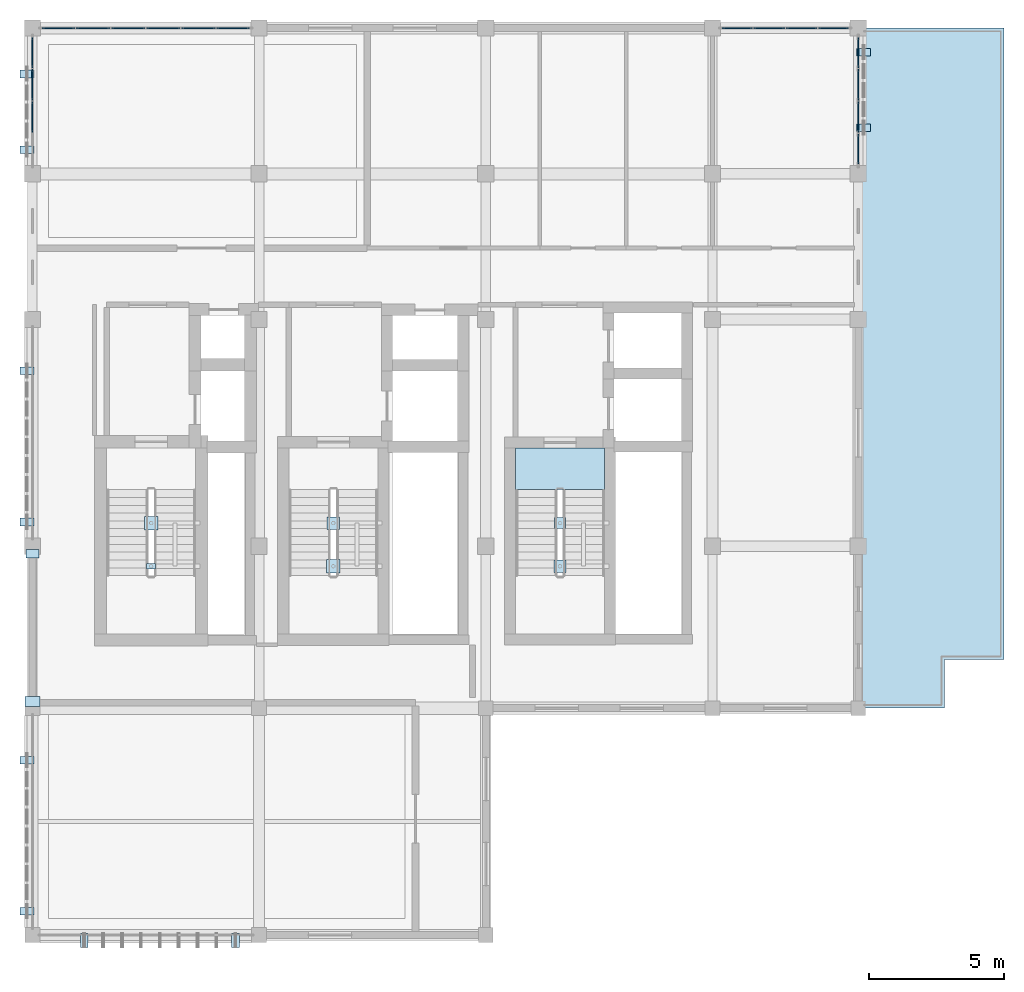
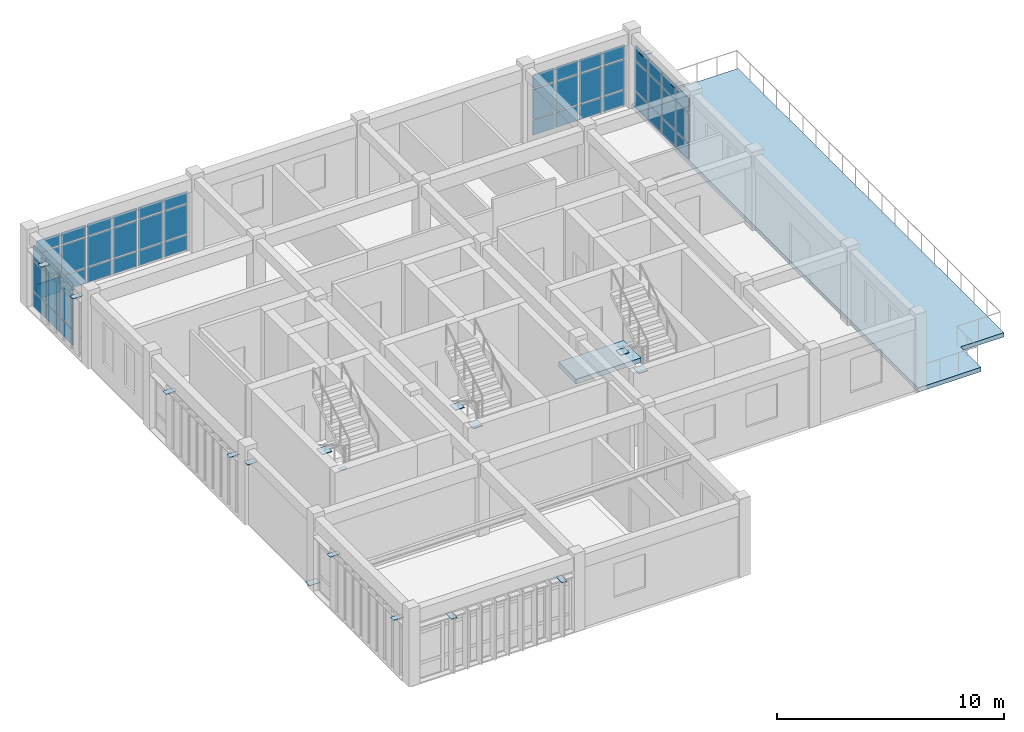
# One storey, part 16 of 21: 69 plates, 2 slabs, 4 elements without a shape of their own.
"""IFC4 building model written with IfcOpenShell, lengths in metres."""

from ifc_helpers import new_model, si_unit, direction, frame, origin, origin_2d, place, context, subcontext, project, spatial, polyline, rectangle, outline, extrude, material, layer, layer_set, type_object, element, aggregate, save


model = new_model("IFC4")

# Units and contexts
model_context = context("Model", 3, precision=1e-05, world=origin(), true_north=direction((0.0, 1.0)))
body_context = subcontext(model_context, "Body", "Model", "MODEL_VIEW")
ifc_project = project(units=[si_unit("LENGTHUNIT", "METRE"), si_unit("AREAUNIT", "SQUARE_METRE"), si_unit("VOLUMEUNIT", "CUBIC_METRE"), si_unit("PLANEANGLEUNIT", "RADIAN"), si_unit("MASSUNIT", "GRAM", prefix="KILO")], contexts=[model_context])

# Site, building, storey
site_placement = place(None, origin())
site = spatial("IfcSite", under=ifc_project, at=site_placement, CompositionType="ELEMENT")
building_placement = place(site_placement, origin())
building = spatial("IfcBuilding", under=site, at=building_placement, Name="Krzemoval Escarpment Law Courts", CompositionType="ELEMENT")
storey_placement = place(building_placement, frame((0.0, 0.0, 37.800048828125)))
storey = spatial("IfcBuildingStorey", under=building, at=storey_placement, Name="L08", CompositionType="ELEMENT", Elevation=37.800048828125)

# Curtain wall, plates
ifc_material_1 = material(Name="Aluminium 6063-T6", Category="aluminium")
ifc_layer_1 = layer(ifc_material_1, 0.219970703125)
ifc_layer_set_1 = layer_set([ifc_layer_1], Name="Aluminium 6063-T6")
curtain_wall_type = type_object("IfcCurtainWallType", Name="CW-CHMB-4200", PredefinedType="USERDEFINED", material=ifc_layer_set_1)
curtain_wall_1_placement = place(storey_placement, origin())
curtain_wall_1 = element("IfcCurtainWall", 1, at=curtain_wall_1_placement, inside=storey, type_object=curtain_wall_type, Name="Unitised Curtain Wall FCW-L08-164", ObjectType="UNITISED_CURTAIN_WALL", PredefinedType="USERDEFINED")
ifc_material_2 = material(Name="Triple Glazing IGU", Category="glass")
ifc_layer_2 = layer(ifc_material_2, 0.0419921875)
ifc_layer_set_2 = layer_set([ifc_layer_2], Name="Triple Glazing IGU")
plate_type_1 = type_object("IfcPlateType", Name="CWP-GLZ-42", PredefinedType="CURTAIN_PANEL", material=ifc_layer_set_2)
plate_1_placement = place(storey_placement, frame((126.0, 115.5, 0.06494140625), z_axis=(0.0, 0.0, 1.0), x_axis=(0.0, 1.0, 0.0)))
plate_1 = element("IfcPlate", 2, at=plate_1_placement, type_object=plate_type_1, Name="FCW-L08-164 panel 2.1", PredefinedType="CURTAIN_PANEL", context=body_context, shape_type="SweptSolid", body=[
    extrude(rectangle(XDim=1.135009765625, YDim=0.0419921875, at=origin_2d()), origin(), (0.0, 0.0, 1.0), 0.802490234375),
])
plate_2_placement = place(storey_placement, frame((126.0, 115.5, 0.932373046875), z_axis=(0.0, 0.0, 1.0), x_axis=(0.0, 1.0, 0.0)))
plate_2 = element("IfcPlate", 3, at=plate_2_placement, type_object=plate_type_1, Name="FCW-L08-164 panel 2.2", PredefinedType="CURTAIN_PANEL", context=body_context, shape_type="SweptSolid", body=[
    extrude(rectangle(XDim=1.135009765625, YDim=0.0419921875, at=origin_2d()), origin(), (0.0, 0.0, 1.0), 1.5849609375),
])
plate_3_placement = place(storey_placement, frame((126.0, 115.5, 2.58251953125), z_axis=(0.0, 0.0, 1.0), x_axis=(0.0, 1.0, 0.0)))
plate_3 = element("IfcPlate", 4, at=plate_3_placement, type_object=plate_type_1, Name="FCW-L08-164 panel 2.3", PredefinedType="CURTAIN_PANEL", context=body_context, shape_type="SweptSolid", body=[
    extrude(rectangle(XDim=1.135009765625, YDim=0.0419921875, at=origin_2d()), origin(), (0.0, 0.0, 1.0), 0.762451171875),
])
plate_4_placement = place(storey_placement, frame((126.0, 116.699951171875, 0.06494140625), z_axis=(0.0, 0.0, 1.0), x_axis=(0.0, 1.0, 0.0)))
plate_4 = element("IfcPlate", 5, at=plate_4_placement, type_object=plate_type_1, Name="FCW-L08-164 panel 3.1", PredefinedType="CURTAIN_PANEL", context=body_context, shape_type="SweptSolid", body=[
    extrude(rectangle(XDim=1.135009765625, YDim=0.0419921875, at=origin_2d()), origin(), (0.0, 0.0, 1.0), 0.802490234375),
])
plate_5_placement = place(storey_placement, frame((126.0, 116.699951171875, 0.932373046875), z_axis=(0.0, 0.0, 1.0), x_axis=(0.0, 1.0, 0.0)))
plate_5 = element("IfcPlate", 6, at=plate_5_placement, type_object=plate_type_1, Name="FCW-L08-164 panel 3.2", PredefinedType="CURTAIN_PANEL", context=body_context, shape_type="SweptSolid", body=[
    extrude(rectangle(XDim=1.135009765625, YDim=0.0419921875, at=origin_2d()), origin(), (0.0, 0.0, 1.0), 1.5849609375),
])
plate_6_placement = place(storey_placement, frame((126.0, 116.699951171875, 2.58251953125), z_axis=(0.0, 0.0, 1.0), x_axis=(0.0, 1.0, 0.0)))
plate_6 = element("IfcPlate", 7, at=plate_6_placement, type_object=plate_type_1, Name="FCW-L08-164 panel 3.3", PredefinedType="CURTAIN_PANEL", context=body_context, shape_type="SweptSolid", body=[
    extrude(rectangle(XDim=1.135009765625, YDim=0.0419921875, at=origin_2d()), origin(), (0.0, 0.0, 1.0), 0.762451171875),
])
plate_7_placement = place(storey_placement, frame((126.0, 117.8837890625, 0.06494140625), z_axis=(0.0, 0.0, 1.0), x_axis=(0.0, 1.0, 0.0)))
plate_7 = element("IfcPlate", 8, at=plate_7_placement, type_object=plate_type_1, Name="FCW-L08-164 panel 4.1", PredefinedType="CURTAIN_PANEL", context=body_context, shape_type="SweptSolid", body=[
    extrude(rectangle(XDim=1.1025390625, YDim=0.0419921875, at=origin_2d()), origin(), (0.0, 0.0, 1.0), 0.802490234375),
])
plate_8_placement = place(storey_placement, frame((126.0, 117.8837890625, 0.932373046875), z_axis=(0.0, 0.0, 1.0), x_axis=(0.0, 1.0, 0.0)))
plate_8 = element("IfcPlate", 9, at=plate_8_placement, type_object=plate_type_1, Name="FCW-L08-164 panel 4.2", PredefinedType="CURTAIN_PANEL", context=body_context, shape_type="SweptSolid", body=[
    extrude(rectangle(XDim=1.1025390625, YDim=0.0419921875, at=origin_2d()), origin(), (0.0, 0.0, 1.0), 1.5849609375),
])
plate_9_placement = place(storey_placement, frame((126.0, 117.8837890625, 2.58251953125), z_axis=(0.0, 0.0, 1.0), x_axis=(0.0, 1.0, 0.0)))
plate_9 = element("IfcPlate", 10, at=plate_9_placement, type_object=plate_type_1, Name="FCW-L08-164 panel 4.3", PredefinedType="CURTAIN_PANEL", context=body_context, shape_type="SweptSolid", body=[
    extrude(rectangle(XDim=1.1025390625, YDim=0.0419921875, at=origin_2d()), origin(), (0.0, 0.0, 1.0), 0.762451171875),
])
aggregate(curtain_wall_1, [plate_1, plate_2, plate_3, plate_4, plate_5, plate_6, plate_7, plate_8, plate_9])

curtain_wall_2_placement = place(storey_placement, origin())
curtain_wall_2 = element("IfcCurtainWall", 11, at=curtain_wall_2_placement, inside=storey, type_object=curtain_wall_type, Name="Unitised Curtain Wall FCW-L08-165", ObjectType="UNITISED_CURTAIN_WALL", PredefinedType="USERDEFINED")
plate_10_placement = place(storey_placement, frame((126.96630859375, 118.800048828125, 0.06494140625), z_axis=(0.0, 0.0, 1.0), x_axis=(1.0, 0.0, 0.0)))
plate_10 = element("IfcPlate", 12, at=plate_10_placement, type_object=plate_type_1, Name="FCW-L08-165 panel 1.1", PredefinedType="CURTAIN_PANEL", context=body_context, shape_type="SweptSolid", body=[
    extrude(rectangle(XDim=1.202392578125, YDim=0.0419921875, at=origin_2d()), origin(), (0.0, 0.0, 1.0), 0.802490234375),
])
plate_11_placement = place(storey_placement, frame((126.96630859375, 118.800048828125, 0.932373046875), z_axis=(0.0, 0.0, 1.0), x_axis=(1.0, 0.0, 0.0)))
plate_11 = element("IfcPlate", 13, at=plate_11_placement, type_object=plate_type_1, Name="FCW-L08-165 panel 1.2", PredefinedType="CURTAIN_PANEL", context=body_context, shape_type="SweptSolid", body=[
    extrude(rectangle(XDim=1.202392578125, YDim=0.0419921875, at=origin_2d()), origin(), (0.0, 0.0, 1.0), 1.5849609375),
])
plate_12_placement = place(storey_placement, frame((126.96630859375, 118.800048828125, 2.58251953125), z_axis=(0.0, 0.0, 1.0), x_axis=(1.0, 0.0, 0.0)))
plate_12 = element("IfcPlate", 14, at=plate_12_placement, type_object=plate_type_1, Name="FCW-L08-165 panel 1.3", PredefinedType="CURTAIN_PANEL", context=body_context, shape_type="SweptSolid", body=[
    extrude(rectangle(XDim=1.202392578125, YDim=0.0419921875, at=origin_2d()), origin(), (0.0, 0.0, 1.0), 0.612548828125),
])
plate_13_placement = place(storey_placement, frame((128.25, 118.800048828125, 0.06494140625), z_axis=(0.0, 0.0, 1.0), x_axis=(1.0, 0.0, 0.0)))
plate_13 = element("IfcPlate", 15, at=plate_13_placement, type_object=plate_type_1, Name="FCW-L08-165 panel 2.1", PredefinedType="CURTAIN_PANEL", context=body_context, shape_type="SweptSolid", body=[
    extrude(rectangle(XDim=1.235107421875, YDim=0.0419921875, at=origin_2d()), origin(), (0.0, 0.0, 1.0), 0.802490234375),
])
plate_14_placement = place(storey_placement, frame((128.25, 118.800048828125, 0.932373046875), z_axis=(0.0, 0.0, 1.0), x_axis=(1.0, 0.0, 0.0)))
plate_14 = element("IfcPlate", 16, at=plate_14_placement, type_object=plate_type_1, Name="FCW-L08-165 panel 2.2", PredefinedType="CURTAIN_PANEL", context=body_context, shape_type="SweptSolid", body=[
    extrude(rectangle(XDim=1.235107421875, YDim=0.0419921875, at=origin_2d()), origin(), (0.0, 0.0, 1.0), 1.5849609375),
])
plate_15_placement = place(storey_placement, frame((128.25, 118.800048828125, 2.58251953125), z_axis=(0.0, 0.0, 1.0), x_axis=(1.0, 0.0, 0.0)))
plate_15 = element("IfcPlate", 17, at=plate_15_placement, type_object=plate_type_1, Name="FCW-L08-165 panel 2.3", PredefinedType="CURTAIN_PANEL", context=body_context, shape_type="SweptSolid", body=[
    extrude(rectangle(XDim=1.235107421875, YDim=0.0419921875, at=origin_2d()), origin(), (0.0, 0.0, 1.0), 0.612548828125),
])
plate_16_placement = place(storey_placement, frame((129.550048828125, 118.800048828125, 0.06494140625), z_axis=(0.0, 0.0, 1.0), x_axis=(1.0, 0.0, 0.0)))
plate_16 = element("IfcPlate", 18, at=plate_16_placement, type_object=plate_type_1, Name="FCW-L08-165 panel 3.1", PredefinedType="CURTAIN_PANEL", context=body_context, shape_type="SweptSolid", body=[
    extrude(rectangle(XDim=1.235107421875, YDim=0.0419921875, at=origin_2d()), origin(), (0.0, 0.0, 1.0), 0.802490234375),
])
plate_17_placement = place(storey_placement, frame((129.550048828125, 118.800048828125, 0.932373046875), z_axis=(0.0, 0.0, 1.0), x_axis=(1.0, 0.0, 0.0)))
plate_17 = element("IfcPlate", 19, at=plate_17_placement, type_object=plate_type_1, Name="FCW-L08-165 panel 3.2", PredefinedType="CURTAIN_PANEL", context=body_context, shape_type="SweptSolid", body=[
    extrude(rectangle(XDim=1.235107421875, YDim=0.0419921875, at=origin_2d()), origin(), (0.0, 0.0, 1.0), 1.5849609375),
])
plate_18_placement = place(storey_placement, frame((129.550048828125, 118.800048828125, 2.58251953125), z_axis=(0.0, 0.0, 1.0), x_axis=(1.0, 0.0, 0.0)))
plate_18 = element("IfcPlate", 20, at=plate_18_placement, type_object=plate_type_1, Name="FCW-L08-165 panel 3.3", PredefinedType="CURTAIN_PANEL", context=body_context, shape_type="SweptSolid", body=[
    extrude(rectangle(XDim=1.235107421875, YDim=0.0419921875, at=origin_2d()), origin(), (0.0, 0.0, 1.0), 0.612548828125),
])
plate_19_placement = place(storey_placement, frame((130.85009765625, 118.800048828125, 0.06494140625), z_axis=(0.0, 0.0, 1.0), x_axis=(1.0, 0.0, 0.0)))
plate_19 = element("IfcPlate", 21, at=plate_19_placement, type_object=plate_type_1, Name="FCW-L08-165 panel 4.1", PredefinedType="CURTAIN_PANEL", context=body_context, shape_type="SweptSolid", body=[
    extrude(rectangle(XDim=1.235107421875, YDim=0.0419921875, at=origin_2d()), origin(), (0.0, 0.0, 1.0), 0.802490234375),
])
plate_20_placement = place(storey_placement, frame((130.85009765625, 118.800048828125, 0.932373046875), z_axis=(0.0, 0.0, 1.0), x_axis=(1.0, 0.0, 0.0)))
plate_20 = element("IfcPlate", 22, at=plate_20_placement, type_object=plate_type_1, Name="FCW-L08-165 panel 4.2", PredefinedType="CURTAIN_PANEL", context=body_context, shape_type="SweptSolid", body=[
    extrude(rectangle(XDim=1.235107421875, YDim=0.0419921875, at=origin_2d()), origin(), (0.0, 0.0, 1.0), 1.5849609375),
])
plate_21_placement = place(storey_placement, frame((130.85009765625, 118.800048828125, 2.58251953125), z_axis=(0.0, 0.0, 1.0), x_axis=(1.0, 0.0, 0.0)))
plate_21 = element("IfcPlate", 23, at=plate_21_placement, type_object=plate_type_1, Name="FCW-L08-165 panel 4.3", PredefinedType="CURTAIN_PANEL", context=body_context, shape_type="SweptSolid", body=[
    extrude(rectangle(XDim=1.235107421875, YDim=0.0419921875, at=origin_2d()), origin(), (0.0, 0.0, 1.0), 0.612548828125),
])
plate_22_placement = place(storey_placement, frame((132.14990234375, 118.800048828125, 0.06494140625), z_axis=(0.0, 0.0, 1.0), x_axis=(1.0, 0.0, 0.0)))
plate_22 = element("IfcPlate", 24, at=plate_22_placement, type_object=plate_type_1, Name="FCW-L08-165 panel 5.1", PredefinedType="CURTAIN_PANEL", context=body_context, shape_type="SweptSolid", body=[
    extrude(rectangle(XDim=1.235107421875, YDim=0.0419921875, at=origin_2d()), origin(), (0.0, 0.0, 1.0), 0.802490234375),
])
plate_23_placement = place(storey_placement, frame((132.14990234375, 118.800048828125, 0.932373046875), z_axis=(0.0, 0.0, 1.0), x_axis=(1.0, 0.0, 0.0)))
plate_23 = element("IfcPlate", 25, at=plate_23_placement, type_object=plate_type_1, Name="FCW-L08-165 panel 5.2", PredefinedType="CURTAIN_PANEL", context=body_context, shape_type="SweptSolid", body=[
    extrude(rectangle(XDim=1.235107421875, YDim=0.0419921875, at=origin_2d()), origin(), (0.0, 0.0, 1.0), 1.5849609375),
])
plate_24_placement = place(storey_placement, frame((132.14990234375, 118.800048828125, 2.58251953125), z_axis=(0.0, 0.0, 1.0), x_axis=(1.0, 0.0, 0.0)))
plate_24 = element("IfcPlate", 26, at=plate_24_placement, type_object=plate_type_1, Name="FCW-L08-165 panel 5.3", PredefinedType="CURTAIN_PANEL", context=body_context, shape_type="SweptSolid", body=[
    extrude(rectangle(XDim=1.235107421875, YDim=0.0419921875, at=origin_2d()), origin(), (0.0, 0.0, 1.0), 0.612548828125),
])
plate_25_placement = place(storey_placement, frame((133.433837890625, 118.800048828125, 0.06494140625), z_axis=(0.0, 0.0, 1.0), x_axis=(1.0, 0.0, 0.0)))
plate_25 = element("IfcPlate", 27, at=plate_25_placement, type_object=plate_type_1, Name="FCW-L08-165 panel 6.1", PredefinedType="CURTAIN_PANEL", context=body_context, shape_type="SweptSolid", body=[
    extrude(rectangle(XDim=1.202392578125, YDim=0.0419921875, at=origin_2d()), origin(), (0.0, 0.0, 1.0), 0.802490234375),
])
plate_26_placement = place(storey_placement, frame((133.433837890625, 118.800048828125, 0.932373046875), z_axis=(0.0, 0.0, 1.0), x_axis=(1.0, 0.0, 0.0)))
plate_26 = element("IfcPlate", 28, at=plate_26_placement, type_object=plate_type_1, Name="FCW-L08-165 panel 6.2", PredefinedType="CURTAIN_PANEL", context=body_context, shape_type="SweptSolid", body=[
    extrude(rectangle(XDim=1.202392578125, YDim=0.0419921875, at=origin_2d()), origin(), (0.0, 0.0, 1.0), 1.5849609375),
])
plate_27_placement = place(storey_placement, frame((133.433837890625, 118.800048828125, 2.58251953125), z_axis=(0.0, 0.0, 1.0), x_axis=(1.0, 0.0, 0.0)))
plate_27 = element("IfcPlate", 29, at=plate_27_placement, type_object=plate_type_1, Name="FCW-L08-165 panel 6.3", PredefinedType="CURTAIN_PANEL", context=body_context, shape_type="SweptSolid", body=[
    extrude(rectangle(XDim=1.202392578125, YDim=0.0419921875, at=origin_2d()), origin(), (0.0, 0.0, 1.0), 0.612548828125),
])
aggregate(curtain_wall_2, [plate_10, plate_11, plate_12, plate_13, plate_14, plate_15, plate_16, plate_17, plate_18, plate_19, plate_20, plate_21, plate_22, plate_23, plate_24, plate_25, plate_26, plate_27])

curtain_wall_3_placement = place(storey_placement, origin())
curtain_wall_3 = element("IfcCurtainWall", 30, at=curtain_wall_3_placement, inside=storey, type_object=curtain_wall_type, Name="Unitised Curtain Wall FCW-L08-166", ObjectType="UNITISED_CURTAIN_WALL", PredefinedType="USERDEFINED")
plate_28_placement = place(storey_placement, frame((152.1162109375, 118.800048828125, 0.06494140625), z_axis=(0.0, 0.0, 1.0), x_axis=(1.0, 0.0, 0.0)))
plate_28 = element("IfcPlate", 31, at=plate_28_placement, type_object=plate_type_1, Name="FCW-L08-166 panel 1.1", PredefinedType="CURTAIN_PANEL", context=body_context, shape_type="SweptSolid", body=[
    extrude(rectangle(XDim=1.1025390625, YDim=0.0419921875, at=origin_2d()), origin(), (0.0, 0.0, 1.0), 0.802490234375),
])
plate_29_placement = place(storey_placement, frame((152.1162109375, 118.800048828125, 0.932373046875), z_axis=(0.0, 0.0, 1.0), x_axis=(1.0, 0.0, 0.0)))
plate_29 = element("IfcPlate", 32, at=plate_29_placement, type_object=plate_type_1, Name="FCW-L08-166 panel 1.2", PredefinedType="CURTAIN_PANEL", context=body_context, shape_type="SweptSolid", body=[
    extrude(rectangle(XDim=1.1025390625, YDim=0.0419921875, at=origin_2d()), origin(), (0.0, 0.0, 1.0), 1.5849609375),
])
plate_30_placement = place(storey_placement, frame((152.1162109375, 118.800048828125, 2.58251953125), z_axis=(0.0, 0.0, 1.0), x_axis=(1.0, 0.0, 0.0)))
plate_30 = element("IfcPlate", 33, at=plate_30_placement, type_object=plate_type_1, Name="FCW-L08-166 panel 1.3", PredefinedType="CURTAIN_PANEL", context=body_context, shape_type="SweptSolid", body=[
    extrude(rectangle(XDim=1.1025390625, YDim=0.0419921875, at=origin_2d()), origin(), (0.0, 0.0, 1.0), 0.71240234375),
])
plate_31_placement = place(storey_placement, frame((153.300048828125, 118.800048828125, 0.06494140625), z_axis=(0.0, 0.0, 1.0), x_axis=(1.0, 0.0, 0.0)))
plate_31 = element("IfcPlate", 34, at=plate_31_placement, type_object=plate_type_1, Name="FCW-L08-166 panel 2.1", PredefinedType="CURTAIN_PANEL", context=body_context, shape_type="SweptSolid", body=[
    extrude(rectangle(XDim=1.135009765625, YDim=0.0419921875, at=origin_2d()), origin(), (0.0, 0.0, 1.0), 0.802490234375),
])
plate_32_placement = place(storey_placement, frame((153.300048828125, 118.800048828125, 0.932373046875), z_axis=(0.0, 0.0, 1.0), x_axis=(1.0, 0.0, 0.0)))
plate_32 = element("IfcPlate", 35, at=plate_32_placement, type_object=plate_type_1, Name="FCW-L08-166 panel 2.2", PredefinedType="CURTAIN_PANEL", context=body_context, shape_type="SweptSolid", body=[
    extrude(rectangle(XDim=1.135009765625, YDim=0.0419921875, at=origin_2d()), origin(), (0.0, 0.0, 1.0), 1.5849609375),
])
plate_33_placement = place(storey_placement, frame((153.300048828125, 118.800048828125, 2.58251953125), z_axis=(0.0, 0.0, 1.0), x_axis=(1.0, 0.0, 0.0)))
plate_33 = element("IfcPlate", 36, at=plate_33_placement, type_object=plate_type_1, Name="FCW-L08-166 panel 2.3", PredefinedType="CURTAIN_PANEL", context=body_context, shape_type="SweptSolid", body=[
    extrude(rectangle(XDim=1.135009765625, YDim=0.0419921875, at=origin_2d()), origin(), (0.0, 0.0, 1.0), 0.71240234375),
])
plate_34_placement = place(storey_placement, frame((154.5, 118.800048828125, 0.06494140625), z_axis=(0.0, 0.0, 1.0), x_axis=(1.0, 0.0, 0.0)))
plate_34 = element("IfcPlate", 37, at=plate_34_placement, type_object=plate_type_1, Name="FCW-L08-166 panel 3.1", PredefinedType="CURTAIN_PANEL", context=body_context, shape_type="SweptSolid", body=[
    extrude(rectangle(XDim=1.135009765625, YDim=0.0419921875, at=origin_2d()), origin(), (0.0, 0.0, 1.0), 0.802490234375),
])
plate_35_placement = place(storey_placement, frame((154.5, 118.800048828125, 0.932373046875), z_axis=(0.0, 0.0, 1.0), x_axis=(1.0, 0.0, 0.0)))
plate_35 = element("IfcPlate", 38, at=plate_35_placement, type_object=plate_type_1, Name="FCW-L08-166 panel 3.2", PredefinedType="CURTAIN_PANEL", context=body_context, shape_type="SweptSolid", body=[
    extrude(rectangle(XDim=1.135009765625, YDim=0.0419921875, at=origin_2d()), origin(), (0.0, 0.0, 1.0), 1.5849609375),
])
plate_36_placement = place(storey_placement, frame((154.5, 118.800048828125, 2.58251953125), z_axis=(0.0, 0.0, 1.0), x_axis=(1.0, 0.0, 0.0)))
plate_36 = element("IfcPlate", 39, at=plate_36_placement, type_object=plate_type_1, Name="FCW-L08-166 panel 3.3", PredefinedType="CURTAIN_PANEL", context=body_context, shape_type="SweptSolid", body=[
    extrude(rectangle(XDim=1.135009765625, YDim=0.0419921875, at=origin_2d()), origin(), (0.0, 0.0, 1.0), 0.71240234375),
])
plate_37_placement = place(storey_placement, frame((155.683837890625, 118.800048828125, 0.06494140625), z_axis=(0.0, 0.0, 1.0), x_axis=(1.0, 0.0, 0.0)))
plate_37 = element("IfcPlate", 40, at=plate_37_placement, type_object=plate_type_1, Name="FCW-L08-166 panel 4.1", PredefinedType="CURTAIN_PANEL", context=body_context, shape_type="SweptSolid", body=[
    extrude(rectangle(XDim=1.1025390625, YDim=0.0419921875, at=origin_2d()), origin(), (0.0, 0.0, 1.0), 0.802490234375),
])
plate_38_placement = place(storey_placement, frame((155.683837890625, 118.800048828125, 0.932373046875), z_axis=(0.0, 0.0, 1.0), x_axis=(1.0, 0.0, 0.0)))
plate_38 = element("IfcPlate", 41, at=plate_38_placement, type_object=plate_type_1, Name="FCW-L08-166 panel 4.2", PredefinedType="CURTAIN_PANEL", context=body_context, shape_type="SweptSolid", body=[
    extrude(rectangle(XDim=1.1025390625, YDim=0.0419921875, at=origin_2d()), origin(), (0.0, 0.0, 1.0), 1.5849609375),
])
plate_39_placement = place(storey_placement, frame((155.683837890625, 118.800048828125, 2.58251953125), z_axis=(0.0, 0.0, 1.0), x_axis=(1.0, 0.0, 0.0)))
plate_39 = element("IfcPlate", 42, at=plate_39_placement, type_object=plate_type_1, Name="FCW-L08-166 panel 4.3", PredefinedType="CURTAIN_PANEL", context=body_context, shape_type="SweptSolid", body=[
    extrude(rectangle(XDim=1.1025390625, YDim=0.0419921875, at=origin_2d()), origin(), (0.0, 0.0, 1.0), 0.71240234375),
])
aggregate(curtain_wall_3, [plate_28, plate_29, plate_30, plate_31, plate_32, plate_33, plate_34, plate_35, plate_36, plate_37, plate_38, plate_39])

curtain_wall_4_placement = place(storey_placement, origin())
curtain_wall_4 = element("IfcCurtainWall", 43, at=curtain_wall_4_placement, inside=storey, type_object=curtain_wall_type, Name="Unitised Curtain Wall FCW-L08-167", ObjectType="UNITISED_CURTAIN_WALL", PredefinedType="USERDEFINED")
plate_40_placement = place(storey_placement, frame((156.60009765625, 117.8837890625, 0.06494140625), z_axis=(0.0, 0.0, 1.0), x_axis=(0.0, -1.0, 0.0)))
plate_40 = element("IfcPlate", 44, at=plate_40_placement, type_object=plate_type_1, Name="FCW-L08-167 panel 1.1", PredefinedType="CURTAIN_PANEL", context=body_context, shape_type="SweptSolid", body=[
    extrude(rectangle(XDim=1.1025390625, YDim=0.0419921875, at=origin_2d()), origin(), (0.0, 0.0, 1.0), 0.802490234375),
])
plate_41_placement = place(storey_placement, frame((156.60009765625, 117.8837890625, 0.932373046875), z_axis=(0.0, 0.0, 1.0), x_axis=(0.0, -1.0, 0.0)))
plate_41 = element("IfcPlate", 45, at=plate_41_placement, type_object=plate_type_1, Name="FCW-L08-167 panel 1.2", PredefinedType="CURTAIN_PANEL", context=body_context, shape_type="SweptSolid", body=[
    extrude(rectangle(XDim=1.1025390625, YDim=0.0419921875, at=origin_2d()), origin(), (0.0, 0.0, 1.0), 1.5849609375),
])
plate_42_placement = place(storey_placement, frame((156.60009765625, 117.8837890625, 2.58251953125), z_axis=(0.0, 0.0, 1.0), x_axis=(0.0, -1.0, 0.0)))
plate_42 = element("IfcPlate", 46, at=plate_42_placement, type_object=plate_type_1, Name="FCW-L08-167 panel 1.3", PredefinedType="CURTAIN_PANEL", context=body_context, shape_type="SweptSolid", body=[
    extrude(rectangle(XDim=1.1025390625, YDim=0.0419921875, at=origin_2d()), origin(), (0.0, 0.0, 1.0), 0.762451171875),
])
plate_43_placement = place(storey_placement, frame((156.60009765625, 116.699951171875, 0.06494140625), z_axis=(0.0, 0.0, 1.0), x_axis=(0.0, -1.0, 0.0)))
plate_43 = element("IfcPlate", 47, at=plate_43_placement, type_object=plate_type_1, Name="FCW-L08-167 panel 2.1", PredefinedType="CURTAIN_PANEL", context=body_context, shape_type="SweptSolid", body=[
    extrude(rectangle(XDim=1.135009765625, YDim=0.0419921875, at=origin_2d()), origin(), (0.0, 0.0, 1.0), 0.802490234375),
])
plate_44_placement = place(storey_placement, frame((156.60009765625, 116.699951171875, 0.932373046875), z_axis=(0.0, 0.0, 1.0), x_axis=(0.0, -1.0, 0.0)))
plate_44 = element("IfcPlate", 48, at=plate_44_placement, type_object=plate_type_1, Name="FCW-L08-167 panel 2.2", PredefinedType="CURTAIN_PANEL", context=body_context, shape_type="SweptSolid", body=[
    extrude(rectangle(XDim=1.135009765625, YDim=0.0419921875, at=origin_2d()), origin(), (0.0, 0.0, 1.0), 1.5849609375),
])
plate_45_placement = place(storey_placement, frame((156.60009765625, 116.699951171875, 2.58251953125), z_axis=(0.0, 0.0, 1.0), x_axis=(0.0, -1.0, 0.0)))
plate_45 = element("IfcPlate", 49, at=plate_45_placement, type_object=plate_type_1, Name="FCW-L08-167 panel 2.3", PredefinedType="CURTAIN_PANEL", context=body_context, shape_type="SweptSolid", body=[
    extrude(rectangle(XDim=1.135009765625, YDim=0.0419921875, at=origin_2d()), origin(), (0.0, 0.0, 1.0), 0.762451171875),
])
plate_46_placement = place(storey_placement, frame((156.60009765625, 115.5, 0.06494140625), z_axis=(0.0, 0.0, 1.0), x_axis=(0.0, -1.0, 0.0)))
plate_46 = element("IfcPlate", 50, at=plate_46_placement, type_object=plate_type_1, Name="FCW-L08-167 panel 3.1", PredefinedType="CURTAIN_PANEL", context=body_context, shape_type="SweptSolid", body=[
    extrude(rectangle(XDim=1.135009765625, YDim=0.0419921875, at=origin_2d()), origin(), (0.0, 0.0, 1.0), 0.802490234375),
])
plate_47_placement = place(storey_placement, frame((156.60009765625, 115.5, 0.932373046875), z_axis=(0.0, 0.0, 1.0), x_axis=(0.0, -1.0, 0.0)))
plate_47 = element("IfcPlate", 51, at=plate_47_placement, type_object=plate_type_1, Name="FCW-L08-167 panel 3.2", PredefinedType="CURTAIN_PANEL", context=body_context, shape_type="SweptSolid", body=[
    extrude(rectangle(XDim=1.135009765625, YDim=0.0419921875, at=origin_2d()), origin(), (0.0, 0.0, 1.0), 1.5849609375),
])
plate_48_placement = place(storey_placement, frame((156.60009765625, 115.5, 2.58251953125), z_axis=(0.0, 0.0, 1.0), x_axis=(0.0, -1.0, 0.0)))
plate_48 = element("IfcPlate", 52, at=plate_48_placement, type_object=plate_type_1, Name="FCW-L08-167 panel 3.3", PredefinedType="CURTAIN_PANEL", context=body_context, shape_type="SweptSolid", body=[
    extrude(rectangle(XDim=1.135009765625, YDim=0.0419921875, at=origin_2d()), origin(), (0.0, 0.0, 1.0), 0.762451171875),
])
plate_49_placement = place(storey_placement, frame((156.60009765625, 114.316162109375, 0.06494140625), z_axis=(0.0, 0.0, 1.0), x_axis=(0.0, -1.0, 0.0)))
plate_49 = element("IfcPlate", 53, at=plate_49_placement, type_object=plate_type_1, Name="FCW-L08-167 panel 4.1", PredefinedType="CURTAIN_PANEL", context=body_context, shape_type="SweptSolid", body=[
    extrude(rectangle(XDim=1.1025390625, YDim=0.0419921875, at=origin_2d()), origin(), (0.0, 0.0, 1.0), 0.802490234375),
])
plate_50_placement = place(storey_placement, frame((156.60009765625, 114.316162109375, 0.932373046875), z_axis=(0.0, 0.0, 1.0), x_axis=(0.0, -1.0, 0.0)))
plate_50 = element("IfcPlate", 54, at=plate_50_placement, type_object=plate_type_1, Name="FCW-L08-167 panel 4.2", PredefinedType="CURTAIN_PANEL", context=body_context, shape_type="SweptSolid", body=[
    extrude(rectangle(XDim=1.1025390625, YDim=0.0419921875, at=origin_2d()), origin(), (0.0, 0.0, 1.0), 1.5849609375),
])
plate_51_placement = place(storey_placement, frame((156.60009765625, 114.316162109375, 2.58251953125), z_axis=(0.0, 0.0, 1.0), x_axis=(0.0, -1.0, 0.0)))
plate_51 = element("IfcPlate", 55, at=plate_51_placement, type_object=plate_type_1, Name="FCW-L08-167 panel 4.3", PredefinedType="CURTAIN_PANEL", context=body_context, shape_type="SweptSolid", body=[
    extrude(rectangle(XDim=1.1025390625, YDim=0.0419921875, at=origin_2d()), origin(), (0.0, 0.0, 1.0), 0.762451171875),
])
aggregate(curtain_wall_4, [plate_40, plate_41, plate_42, plate_43, plate_44, plate_45, plate_46, plate_47, plate_48, plate_49, plate_50, plate_51])

# Plates
ifc_material_3 = material(Name="Anodised Aluminium Alloy 6063-T6", Category="aluminium")
ifc_layer_3 = layer(ifc_material_3, 0.01611328125)
ifc_layer_set_3 = layer_set([ifc_layer_3], Name="Anodised Aluminium Alloy 6063-T6")
plate_type_2 = type_object("IfcPlateType", Name="PLT-FIN-16", PredefinedType="USERDEFINED", material=ifc_layer_set_3)
for number, where, z_axis, x_axis, name in (
    (56, (133.52490234375, 85.0, 3.031982421875), (0.0, 0.0, 1.0), (0.0, -1.0, 0.0), "Sunshade Fin Blade FN-L08-1058"),
    (57, (127.925048828125, 85.0, 3.031982421875), (0.0, 0.0, 1.0), (0.0, -1.0, 0.0), "Sunshade Fin Blade FN-L08-1066"),
    (58, (125.800048828125, 86.074951171875, 3.031982421875), (0.0, 0.0, 1.0), (-1.0, 0.0, 0.0), "Sunshade Fin Blade FN-L08-1069"),
    (59, (125.800048828125, 91.675048828125, 3.031982421875), (0.0, 0.0, 1.0), (-1.0, 0.0, 0.0), "Sunshade Fin Blade FN-L08-1077"),
    (60, (125.800048828125, 100.5, 3.031982421875), (0.0, 0.0, 1.0), (-1.0, 0.0, 0.0), "Sunshade Fin Blade FN-L08-1080"),
    (61, (125.800048828125, 106.10009765625, 3.031982421875), (0.0, 0.0, 1.0), (-1.0, 0.0, 0.0), "Sunshade Fin Blade FN-L08-1088"),
    (62, (125.800048828125, 114.300048828125, 3.181884765625), (0.0, 0.0, 1.0), (-1.0, 0.0, 0.0), "Sunshade Fin Blade FN-L08-1091"),
    (63, (125.800048828125, 117.10009765625, 3.181884765625), (0.0, 0.0, 1.0), (-1.0, 0.0, 0.0), "Sunshade Fin Blade FN-L08-1095"),
    (64, (156.800048828125, 117.89990234375, 3.181884765625), (0.0, 0.0, 1.0), (1.0, 0.0, 0.0), "Sunshade Fin Blade FN-L08-1098"),
    (65, (156.800048828125, 115.10009765625, 3.181884765625), (0.0, 0.0, 1.0), (1.0, 0.0, 0.0), "Sunshade Fin Blade FN-L08-1102"),
):
    element("IfcPlate", number, at=place(storey_placement, frame(where, z_axis=z_axis, x_axis=x_axis)), inside=storey, type_object=plate_type_2, Name=name, ObjectType="SUNSHADE_FIN", PredefinedType="USERDEFINED", context=body_context, shape_type="SweptSolid", body=[
        extrude(rectangle(XDim=0.52001953125, YDim=0.280029296875, at=origin_2d()), origin(), (0.0, 0.0, 1.0), 0.01611328125),
    ])
ifc_material_4 = material(Name="Steel S355", Category="steel")
ifc_layer_4 = layer(ifc_material_4, 0.02392578125)
ifc_layer_set_4 = layer_set([ifc_layer_4], Name="Steel S355")
plate_type_3 = type_object("IfcPlateType", Name="PLT-FLG-24", PredefinedType="USERDEFINED", material=ifc_layer_set_4)
plate_52_placement = place(storey_placement, frame((145.550048828125, 100.4599609375, 1.657958984375), z_axis=(0.0, 0.0, 1.0), x_axis=(1.0, 0.0, 0.0)))
element("IfcPlate", 66, at=plate_52_placement, inside=storey, type_object=plate_type_3, Name="Gusset and End-Cap Plate ECP-0359", ObjectType="FLANGE_PLATE", PredefinedType="USERDEFINED", context=body_context, shape_type="SweptSolid", body=[
    extrude(rectangle(XDim=0.419921875, YDim=0.419921875, at=origin_2d()), origin(), (0.0, 0.0, 1.0), 0.02392578125),
])
ifc_material_5 = material(Name="Steel S355", Category="steel")
ifc_layer_5 = layer(ifc_material_5, 0.034912109375)
ifc_layer_set_5 = layer_set([ifc_layer_5], Name="Steel S355")
plate_type_4 = type_object("IfcPlateType", Name="PLT-FLG-35", PredefinedType="USERDEFINED", material=ifc_layer_set_5)
for number, where, z_axis, x_axis, name in (
    (67, (137.14990234375, 100.4599609375, 1.65234375), (0.0, 0.0, 1.0), (1.0, 0.0, 0.0), "Gusset and End-Cap Plate ECP-0337"),
    (68, (145.550048828125, 98.860107421875, 1.65234375), (0.0, 0.0, 1.0), (1.0, 0.0, 0.0), "Gusset and End-Cap Plate ECP-0358"),
):
    element("IfcPlate", number, at=place(storey_placement, frame(where, z_axis=z_axis, x_axis=x_axis)), inside=storey, type_object=plate_type_4, Name=name, ObjectType="FLANGE_PLATE", PredefinedType="USERDEFINED", context=body_context, shape_type="SweptSolid", body=[
        extrude(rectangle(XDim=0.4599609375, YDim=0.4599609375, at=origin_2d()), origin(), (0.0, 0.0, 1.0), 0.034912109375),
    ])
ifc_material_6 = material(Name="Steel S355", Category="steel")
ifc_layer_6 = layer(ifc_material_6, 0.0400390625)
ifc_layer_set_6 = layer_set([ifc_layer_6], Name="Steel S355")
plate_type_5 = type_object("IfcPlateType", Name="PLT-FLG-40", PredefinedType="USERDEFINED", material=ifc_layer_set_6)
for number, where, z_axis, x_axis, name in (
    (69, (130.39990234375, 100.4599609375, 1.64990234375), (0.0, 0.0, 1.0), (1.0, 0.0, 0.0), "Gusset and End-Cap Plate ECP-0315"),
    (70, (137.14990234375, 98.860107421875, 1.64990234375), (0.0, 0.0, 1.0), (1.0, 0.0, 0.0), "Gusset and End-Cap Plate ECP-0336"),
):
    element("IfcPlate", number, at=place(storey_placement, frame(where, z_axis=z_axis, x_axis=x_axis)), inside=storey, type_object=plate_type_5, Name=name, ObjectType="FLANGE_PLATE", PredefinedType="USERDEFINED", context=body_context, shape_type="SweptSolid", body=[
        extrude(rectangle(XDim=0.5, YDim=0.5, at=origin_2d()), origin(), (0.0, 0.0, 1.0), 0.0400390625),
    ])
ifc_material_7 = material(Name="Steel S355", Category="steel")
ifc_layer_7 = layer(ifc_material_7, 0.011962890625)
ifc_layer_set_7 = layer_set([ifc_layer_7], Name="Steel S355")
plate_type_6 = type_object("IfcPlateType", Name="PLT-GUS-12", PredefinedType="USERDEFINED", material=ifc_layer_set_7)
plate_53_placement = place(storey_placement, frame((130.39990234375, 98.860107421875, 1.6640625), z_axis=(0.0, 0.0, 1.0), x_axis=(1.0, 0.0, 0.0)))
element("IfcPlate", 71, at=plate_53_placement, inside=storey, type_object=plate_type_6, Name="Gusset and End-Cap Plate ECP-0314", ObjectType="GUSSET_PLATE", PredefinedType="USERDEFINED", context=body_context, shape_type="SweptSolid", body=[
    extrude(rectangle(XDim=0.340087890625, YDim=0.219970703125, at=origin_2d()), origin(), (0.0, 0.0, 1.0), 0.011962890625),
])
ifc_material_8 = material(Name="Steel S355", Category="steel")
ifc_layer_8 = layer(ifc_material_8, 0.02001953125)
ifc_layer_set_8 = layer_set([ifc_layer_8], Name="Steel S355")
plate_type_7 = type_object("IfcPlateType", Name="PLT-GUS-20", PredefinedType="USERDEFINED", material=ifc_layer_set_8)
plate_54_placement = place(storey_placement, frame((126.0, 99.324951171875, 3.27001953125), z_axis=(0.0, 0.0, 1.0), x_axis=(1.0, 0.0, 0.0)))
element("IfcPlate", 72, at=plate_54_placement, inside=storey, type_object=plate_type_7, Name="Gusset and End-Cap Plate ECP-0279", ObjectType="GUSSET_PLATE", PredefinedType="USERDEFINED", context=body_context, shape_type="SweptSolid", body=[
    extrude(rectangle(XDim=0.47998046875, YDim=0.320068359375, at=origin_2d()), origin(), (0.0, 0.0, 1.0), 0.02001953125),
])
ifc_material_9 = material(Name="Steel S355", Category="steel")
ifc_layer_9 = layer(ifc_material_9, 0.030029296875)
ifc_layer_set_9 = layer_set([ifc_layer_9], Name="Steel S355")
plate_type_8 = type_object("IfcPlateType", Name="PLT-GUS-30", PredefinedType="USERDEFINED", material=ifc_layer_set_9)
plate_55_placement = place(storey_placement, frame((126.0, 93.85009765625, 0.125), z_axis=(0.0, 0.0, 1.0), x_axis=(1.0, 0.0, 0.0)))
element("IfcPlate", 73, at=plate_55_placement, inside=storey, type_object=plate_type_8, Name="Gusset and End-Cap Plate ECP-0278", ObjectType="GUSSET_PLATE", PredefinedType="USERDEFINED", context=body_context, shape_type="SweptSolid", body=[
    extrude(rectangle(XDim=0.56005859375, YDim=0.360107421875, at=origin_2d()), origin(), (0.0, 0.0, 1.0), 0.030029296875),
])

# Slabs
ifc_material_10 = material(Name="Concrete C40/50", Category="concrete")
ifc_layer_10 = layer(ifc_material_10, 0.25)
ifc_layer_set_10 = layer_set([ifc_layer_10], Name="Concrete C40/50")
slab_type_1 = type_object("IfcSlabType", Name="SL-FLR-250", PredefinedType="FLOOR", material=ifc_layer_set_10)
slab_1_placement = place(storey_placement, frame((0.0, 0.0, -0.25)))
element("IfcSlab", 74, at=slab_1_placement, inside=storey, type_object=slab_type_1, Name="Core Floor Landing Slab SL-ST3-L08-FL", PredefinedType="FLOOR", context=body_context, shape_type="SweptSolid", body=[
    extrude(outline(polyline([(143.89990234375, 103.25), (143.89990234375, 101.699951171875), (147.199951171875, 101.699951171875), (147.199951171875, 103.25), (143.89990234375, 103.25)])), origin(), (0.0, 0.0, 1.0), 0.25),
])
ifc_material_11 = material(Name="Concrete C40/50", Category="concrete")
ifc_layer_11 = layer(ifc_material_11, 0.22998046875)
ifc_layer_set_11 = layer_set([ifc_layer_11], Name="Concrete C40/50")
slab_type_2 = type_object("IfcSlabType", Name="SL-TER-320", PredefinedType="ROOF", material=ifc_layer_set_11)
slab_2_placement = place(storey_placement, frame((0.0, 0.0, -0.22998046875)))
element("IfcSlab", 75, at=slab_2_placement, inside=storey, type_object=slab_type_2, Name="Planted Roof Terrace Step 5", PredefinedType="ROOF", context=body_context, shape_type="SweptSolid", body=[
    extrude(outline(polyline([(156.60009765625, 118.800048828125), (162.0, 118.800048828125), (162.0, 95.39990234375), (159.800048828125, 95.39990234375), (159.800048828125, 93.60009765625), (156.60009765625, 93.60009765625), (156.60009765625, 118.800048828125)])), origin(), (0.0, 0.0, 1.0), 0.22998046875),
])

save(model, "model.ifc")
